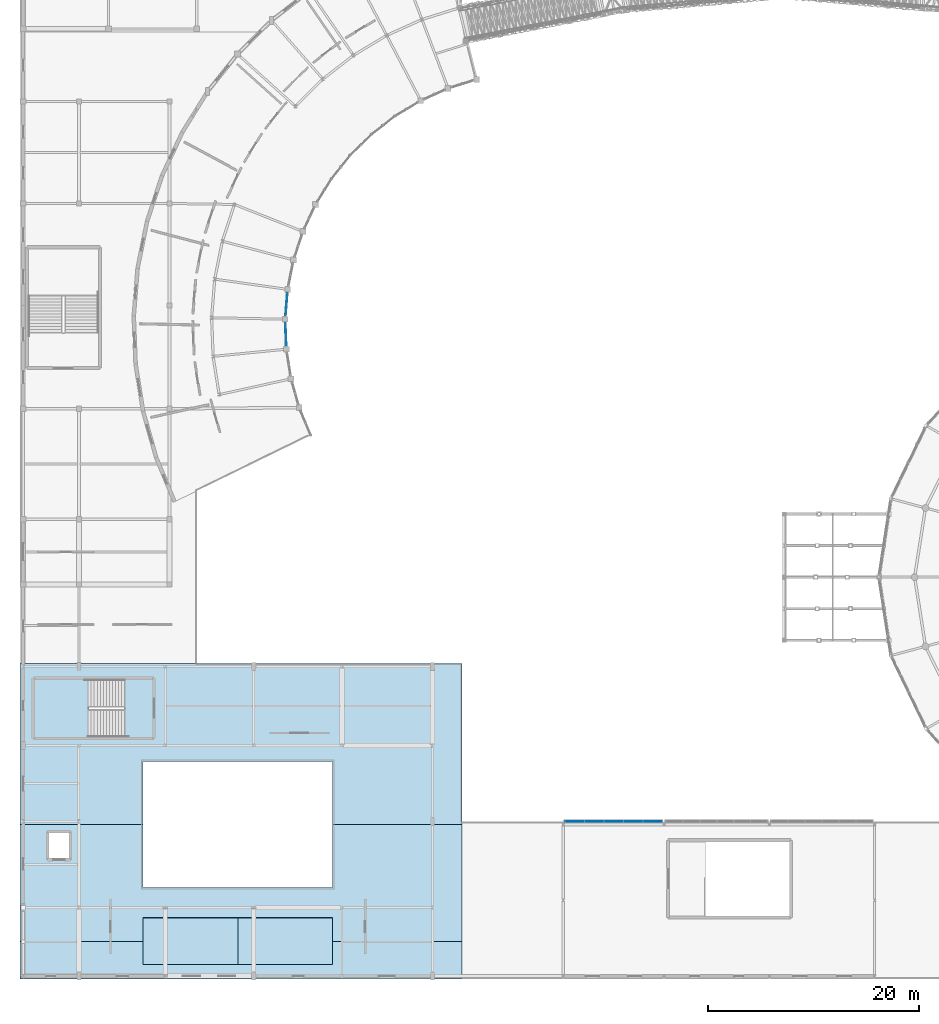
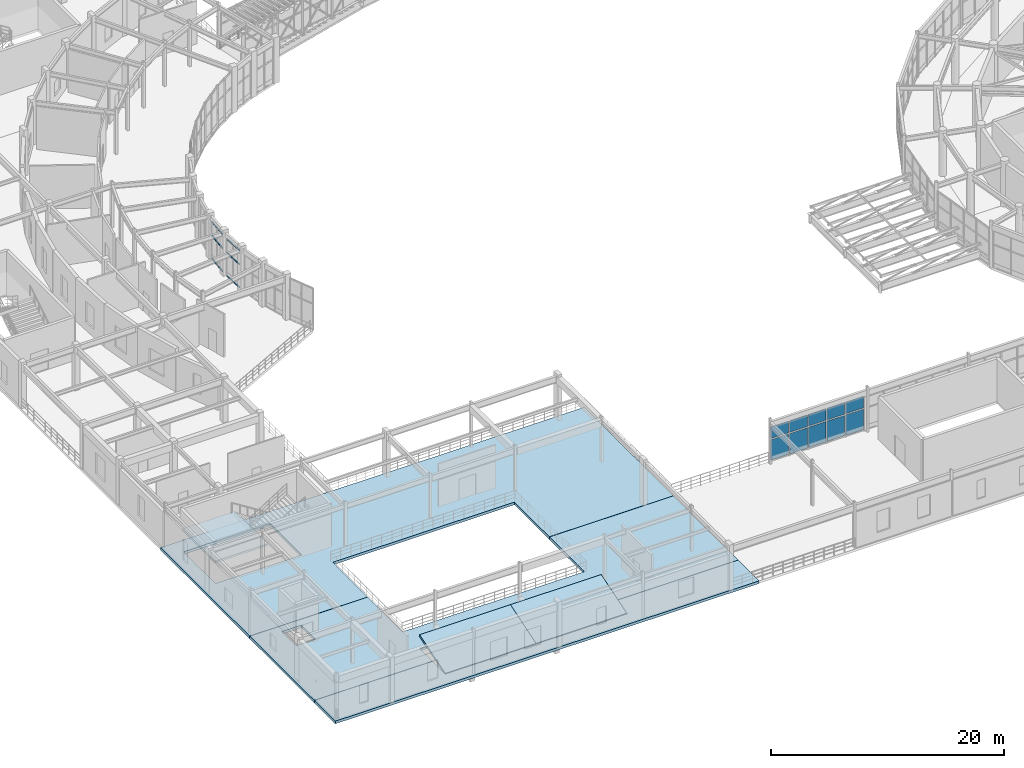
# One storey, part 79 of 144: 12 members, 10 plates, 6 slabs, 4 elements without a shape of their own.
"""IFC4 building model written with IfcOpenShell, lengths in metres."""

from ifc_helpers import new_model, si_unit, direction, frame, origin, origin_2d, place, context, subcontext, project, spatial, polyline, rectangle, outline, extrude, material, layer, layer_set, material_profile, profile_set, type_object, element, aggregate, save


model = new_model("IFC4")

# Units and contexts
model_context = context("Model", 3, precision=1e-05, world=origin(), true_north=direction((0.0, 1.0)))
body_context = subcontext(model_context, "Body", "Model", "MODEL_VIEW")
ifc_project = project(units=[si_unit("LENGTHUNIT", "METRE"), si_unit("AREAUNIT", "SQUARE_METRE"), si_unit("VOLUMEUNIT", "CUBIC_METRE"), si_unit("PLANEANGLEUNIT", "RADIAN"), si_unit("MASSUNIT", "GRAM", prefix="KILO")], contexts=[model_context])

# Site, building, storey
site_placement = place(None, origin())
site = spatial("IfcSite", under=ifc_project, at=site_placement, CompositionType="ELEMENT")
building_placement = place(site_placement, origin())
building = spatial("IfcBuilding", under=site, at=building_placement, Name="Cinderbank Siding Concert Hall", CompositionType="ELEMENT")
storey_placement = place(building_placement, frame((0.0, 0.0, 5.39990234375)))
storey = spatial("IfcBuildingStorey", under=building, at=storey_placement, Name="L02", CompositionType="ELEMENT", Elevation=5.39990234375)

# Curtain wall, members
ifc_material_1 = material(Name="Anodised aluminium alloy 6063-T6", Category="aluminium")
curtain_wall_type_1 = type_object("IfcCurtainWallType", Name="CW-13 Unitised Acoustic Curtain Wall 4200x4400", PredefinedType="NOTDEFINED", material=ifc_material_1)
curtain_wall_1_placement = place(storey_placement, origin())
curtain_wall_1 = element("IfcCurtainWall", 1, at=curtain_wall_1_placement, inside=storey, type_object=curtain_wall_type_1, Name="L02 Curtain Wall CW-13 #118", PredefinedType="NOTDEFINED")
ifc_material_profile_1 = material_profile(ifc_material_1, rectangle(XDim=0.06005859375, YDim=0.1201171875, at=origin_2d()), Name="ALU-TRAN-60x120", Category="LoadBearing")
ifc_profile_set_1 = profile_set([ifc_material_profile_1], Name="Anodised aluminium alloy 6063-T6")
member_type_1 = type_object("IfcMemberType", Name="CW-TR1 Transom 60x120", PredefinedType="USERDEFINED", material=ifc_profile_set_1)
member_1_placement = place(storey_placement, frame((32.201904296875, 70.947265625, 0.06005859375), z_axis=(-0.080123382349, -0.996784953539, 0.0), x_axis=(0.996784953539, -0.080123382349, 0.0)))
member_1 = element("IfcMember", 2, at=member_1_placement, type_object=member_type_1, Name="CW-L02-118 Transom 0-0", ObjectType="TRANSOM", PredefinedType="USERDEFINED", context=body_context, shape_type="SweptSolid", body=[
    extrude(rectangle(XDim=0.06005859375, YDim=0.1201171875, at=origin_2d()), origin(), (0.0, 0.0, 1.0), 0.97509765625),
])
member_2_placement = place(storey_placement, frame((32.201904296875, 70.947265625, 2.471923828125), z_axis=(-0.080123382349, -0.996784953539, 0.0), x_axis=(0.996784953539, -0.080123382349, 0.0)))
member_2 = element("IfcMember", 3, at=member_2_placement, type_object=member_type_1, Name="CW-L02-118 Transom 0-1", ObjectType="TRANSOM", PredefinedType="USERDEFINED", context=body_context, shape_type="SweptSolid", body=[
    extrude(rectangle(XDim=0.06005859375, YDim=0.1201171875, at=origin_2d()), origin(), (0.0, 0.0, 1.0), 0.97509765625),
])
member_3_placement = place(storey_placement, frame((32.201904296875, 70.947265625, 3.927001953125), z_axis=(-0.080123382349, -0.996784953539, 0.0), x_axis=(0.996784953539, -0.080123382349, 0.0)))
member_3 = element("IfcMember", 4, at=member_3_placement, type_object=member_type_1, Name="CW-L02-118 Transom 0-2", ObjectType="TRANSOM", PredefinedType="USERDEFINED", context=body_context, shape_type="SweptSolid", body=[
    extrude(rectangle(XDim=0.06005859375, YDim=0.1201171875, at=origin_2d()), origin(), (0.0, 0.0, 1.0), 0.97509765625),
])
member_4_placement = place(storey_placement, frame((32.114990234375, 69.867431640625, 0.06005859375), z_axis=(-0.080123382349, -0.996784953539, 0.0), x_axis=(0.996784953539, -0.080123382349, 0.0)))
member_4 = element("IfcMember", 5, at=member_4_placement, type_object=member_type_1, Name="CW-L02-118 Transom 1-0", ObjectType="TRANSOM", PredefinedType="USERDEFINED", context=body_context, shape_type="SweptSolid", body=[
    extrude(rectangle(XDim=0.06005859375, YDim=0.1201171875, at=origin_2d()), origin(), (0.0, 0.0, 1.0), 0.97509765625),
])
member_5_placement = place(storey_placement, frame((32.114990234375, 69.867431640625, 2.471923828125), z_axis=(-0.080123382349, -0.996784953539, 0.0), x_axis=(0.996784953539, -0.080123382349, 0.0)))
member_5 = element("IfcMember", 6, at=member_5_placement, type_object=member_type_1, Name="CW-L02-118 Transom 1-1", ObjectType="TRANSOM", PredefinedType="USERDEFINED", context=body_context, shape_type="SweptSolid", body=[
    extrude(rectangle(XDim=0.06005859375, YDim=0.1201171875, at=origin_2d()), origin(), (0.0, 0.0, 1.0), 0.97509765625),
])
member_6_placement = place(storey_placement, frame((32.114990234375, 69.867431640625, 3.927001953125), z_axis=(-0.080123382349, -0.996784953539, 0.0), x_axis=(0.996784953539, -0.080123382349, 0.0)))
member_6 = element("IfcMember", 7, at=member_6_placement, type_object=member_type_1, Name="CW-L02-118 Transom 1-2", ObjectType="TRANSOM", PredefinedType="USERDEFINED", context=body_context, shape_type="SweptSolid", body=[
    extrude(rectangle(XDim=0.06005859375, YDim=0.1201171875, at=origin_2d()), origin(), (0.0, 0.0, 1.0), 0.97509765625),
])
aggregate(curtain_wall_1, [member_1, member_2, member_3, member_4, member_5, member_6])

curtain_wall_type_2 = type_object("IfcCurtainWallType", Name="CW-14 Unitised Acoustic Curtain Wall 4200x3800", PredefinedType="NOTDEFINED", material=ifc_material_1)
curtain_wall_2_placement = place(storey_placement, origin())
curtain_wall_2 = element("IfcCurtainWall", 8, at=curtain_wall_2_placement, inside=storey, type_object=curtain_wall_type_2, Name="L02 Curtain Wall CW-14 #119", PredefinedType="NOTDEFINED")
ifc_material_profile_2 = material_profile(ifc_material_1, rectangle(XDim=0.06494140625, YDim=0.14990234375, at=origin_2d()), Name="ALU-TRAN-65x150", Category="LoadBearing")
ifc_profile_set_2 = profile_set([ifc_material_profile_2], Name="Anodised aluminium alloy 6063-T6")
member_type_2 = type_object("IfcMemberType", Name="CW-TR2 Transom 65x150", PredefinedType="USERDEFINED", material=ifc_profile_set_2)
member_7_placement = place(storey_placement, frame((32.0205078125, 68.108642578125, 0.06005859375), z_axis=(0.038317703732, -0.999265607124, 0.0), x_axis=(0.999265607124, 0.038317703732, 0.0)))
member_7 = element("IfcMember", 9, at=member_7_placement, type_object=member_type_2, Name="CW-L02-119 Transom 0-0", ObjectType="TRANSOM", PredefinedType="USERDEFINED", context=body_context, shape_type="SweptSolid", body=[
    extrude(rectangle(XDim=0.06494140625, YDim=0.14990234375, at=origin_2d()), origin(), (0.0, 0.0, 1.0), 0.974853515625),
])
member_8_placement = place(storey_placement, frame((32.0205078125, 68.108642578125, 2.471923828125), z_axis=(0.038317703732, -0.999265607124, 0.0), x_axis=(0.999265607124, 0.038317703732, 0.0)))
member_8 = element("IfcMember", 10, at=member_8_placement, type_object=member_type_2, Name="CW-L02-119 Transom 0-1", ObjectType="TRANSOM", PredefinedType="USERDEFINED", context=body_context, shape_type="SweptSolid", body=[
    extrude(rectangle(XDim=0.06494140625, YDim=0.14990234375, at=origin_2d()), origin(), (0.0, 0.0, 1.0), 0.974853515625),
])
member_9_placement = place(storey_placement, frame((32.0205078125, 68.108642578125, 3.927001953125), z_axis=(0.038317703732, -0.999265607124, 0.0), x_axis=(0.999265607124, 0.038317703732, 0.0)))
member_9 = element("IfcMember", 11, at=member_9_placement, type_object=member_type_2, Name="CW-L02-119 Transom 0-2", ObjectType="TRANSOM", PredefinedType="USERDEFINED", context=body_context, shape_type="SweptSolid", body=[
    extrude(rectangle(XDim=0.06494140625, YDim=0.14990234375, at=origin_2d()), origin(), (0.0, 0.0, 1.0), 0.974853515625),
])
member_10_placement = place(storey_placement, frame((32.06201171875, 67.026123046875, 0.06005859375), z_axis=(0.038317703732, -0.999265607124, 0.0), x_axis=(0.999265607124, 0.038317703732, 0.0)))
member_10 = element("IfcMember", 12, at=member_10_placement, type_object=member_type_2, Name="CW-L02-119 Transom 1-0", ObjectType="TRANSOM", PredefinedType="USERDEFINED", context=body_context, shape_type="SweptSolid", body=[
    extrude(rectangle(XDim=0.06494140625, YDim=0.14990234375, at=origin_2d()), origin(), (0.0, 0.0, 1.0), 0.974853515625),
])
member_11_placement = place(storey_placement, frame((32.06201171875, 67.026123046875, 2.471923828125), z_axis=(0.038317703732, -0.999265607124, 0.0), x_axis=(0.999265607124, 0.038317703732, 0.0)))
member_11 = element("IfcMember", 13, at=member_11_placement, type_object=member_type_2, Name="CW-L02-119 Transom 1-1", ObjectType="TRANSOM", PredefinedType="USERDEFINED", context=body_context, shape_type="SweptSolid", body=[
    extrude(rectangle(XDim=0.06494140625, YDim=0.14990234375, at=origin_2d()), origin(), (0.0, 0.0, 1.0), 0.974853515625),
])
member_12_placement = place(storey_placement, frame((32.06201171875, 67.026123046875, 3.927001953125), z_axis=(0.038317703732, -0.999265607124, 0.0), x_axis=(0.999265607124, 0.038317703732, 0.0)))
member_12 = element("IfcMember", 14, at=member_12_placement, type_object=member_type_2, Name="CW-L02-119 Transom 1-2", ObjectType="TRANSOM", PredefinedType="USERDEFINED", context=body_context, shape_type="SweptSolid", body=[
    extrude(rectangle(XDim=0.06494140625, YDim=0.14990234375, at=origin_2d()), origin(), (0.0, 0.0, 1.0), 0.974853515625),
])
aggregate(curtain_wall_2, [member_7, member_8, member_9, member_10, member_11, member_12])

# Curtain wall, plates
curtain_wall_type_3 = type_object("IfcCurtainWallType", Name="CW-16 Unitised Acoustic Curtain Wall 9200x3800", PredefinedType="NOTDEFINED", material=ifc_material_1)
curtain_wall_3_placement = place(storey_placement, origin())
curtain_wall_3 = element("IfcCurtainWall", 15, at=curtain_wall_3_placement, inside=storey, type_object=curtain_wall_type_3, Name="L02 Curtain Wall CW-16 #141", PredefinedType="NOTDEFINED")
ifc_material_2 = material(Name="Double-glazed laminated acoustic glass", Category="glass")
ifc_layer_1 = layer(ifc_material_2, 0.0380859375)
ifc_layer_set_1 = layer_set([ifc_layer_1], Name="Double-glazed laminated acoustic glass")
plate_type = type_object("IfcPlateType", Name="CP-06 Glazed Curtain Panel 2100x1600", PredefinedType="CURTAIN_PANEL", material=ifc_layer_set_1)
plate_1_placement = place(storey_placement, frame((59.493896484375, 20.800048828125, 0.1201171875), z_axis=(0.0, 0.0, 1.0), x_axis=(1.0, 0.0, 0.0)))
plate_1 = element("IfcPlate", 16, at=plate_1_placement, type_object=plate_type, Name="CW-L02-141 Glazed Panel 0-0", PredefinedType="CURTAIN_PANEL", context=body_context, shape_type="SweptSolid", body=[
    extrude(rectangle(XDim=1.7529296875, YDim=0.035888671875, at=origin_2d()), origin(), (0.0, 0.0, 1.0), 2.136962890625),
])
plate_2_placement = place(storey_placement, frame((59.493896484375, 20.800048828125, 2.376953125), z_axis=(0.0, 0.0, 1.0), x_axis=(1.0, 0.0, 0.0)))
plate_2 = element("IfcPlate", 17, at=plate_2_placement, type_object=plate_type, Name="CW-L02-141 Glazed Panel 0-1", PredefinedType="CURTAIN_PANEL", context=body_context, shape_type="SweptSolid", body=[
    extrude(rectangle(XDim=1.7529296875, YDim=0.035888671875, at=origin_2d()), origin(), (0.0, 0.0, 1.0), 1.239990234375),
])
plate_3_placement = place(storey_placement, frame((61.346923828125, 20.800048828125, 0.1201171875), z_axis=(0.0, 0.0, 1.0), x_axis=(1.0, 0.0, 0.0)))
plate_3 = element("IfcPlate", 18, at=plate_3_placement, type_object=plate_type, Name="CW-L02-141 Glazed Panel 1-0", PredefinedType="CURTAIN_PANEL", context=body_context, shape_type="SweptSolid", body=[
    extrude(rectangle(XDim=1.7529296875, YDim=0.035888671875, at=origin_2d()), origin(), (0.0, 0.0, 1.0), 2.136962890625),
])
plate_4_placement = place(storey_placement, frame((61.346923828125, 20.800048828125, 2.376953125), z_axis=(0.0, 0.0, 1.0), x_axis=(1.0, 0.0, 0.0)))
plate_4 = element("IfcPlate", 19, at=plate_4_placement, type_object=plate_type, Name="CW-L02-141 Glazed Panel 1-1", PredefinedType="CURTAIN_PANEL", context=body_context, shape_type="SweptSolid", body=[
    extrude(rectangle(XDim=1.7529296875, YDim=0.035888671875, at=origin_2d()), origin(), (0.0, 0.0, 1.0), 1.239990234375),
])
plate_5_placement = place(storey_placement, frame((63.199951171875, 20.800048828125, 0.1201171875), z_axis=(0.0, 0.0, 1.0), x_axis=(1.0, 0.0, 0.0)))
plate_5 = element("IfcPlate", 20, at=plate_5_placement, type_object=plate_type, Name="CW-L02-141 Glazed Panel 2-0", PredefinedType="CURTAIN_PANEL", context=body_context, shape_type="SweptSolid", body=[
    extrude(rectangle(XDim=1.7529296875, YDim=0.035888671875, at=origin_2d()), origin(), (0.0, 0.0, 1.0), 2.136962890625),
])
plate_6_placement = place(storey_placement, frame((63.199951171875, 20.800048828125, 2.376953125), z_axis=(0.0, 0.0, 1.0), x_axis=(1.0, 0.0, 0.0)))
plate_6 = element("IfcPlate", 21, at=plate_6_placement, type_object=plate_type, Name="CW-L02-141 Glazed Panel 2-1", PredefinedType="CURTAIN_PANEL", context=body_context, shape_type="SweptSolid", body=[
    extrude(rectangle(XDim=1.7529296875, YDim=0.035888671875, at=origin_2d()), origin(), (0.0, 0.0, 1.0), 1.239990234375),
])
plate_7_placement = place(storey_placement, frame((65.052978515625, 20.800048828125, 0.1201171875), z_axis=(0.0, 0.0, 1.0), x_axis=(1.0, 0.0, 0.0)))
plate_7 = element("IfcPlate", 22, at=plate_7_placement, type_object=plate_type, Name="CW-L02-141 Glazed Panel 3-0", PredefinedType="CURTAIN_PANEL", context=body_context, shape_type="SweptSolid", body=[
    extrude(rectangle(XDim=1.7529296875, YDim=0.035888671875, at=origin_2d()), origin(), (0.0, 0.0, 1.0), 2.136962890625),
])
plate_8_placement = place(storey_placement, frame((65.052978515625, 20.800048828125, 2.376953125), z_axis=(0.0, 0.0, 1.0), x_axis=(1.0, 0.0, 0.0)))
plate_8 = element("IfcPlate", 23, at=plate_8_placement, type_object=plate_type, Name="CW-L02-141 Glazed Panel 3-1", PredefinedType="CURTAIN_PANEL", context=body_context, shape_type="SweptSolid", body=[
    extrude(rectangle(XDim=1.7529296875, YDim=0.035888671875, at=origin_2d()), origin(), (0.0, 0.0, 1.0), 1.239990234375),
])
plate_9_placement = place(storey_placement, frame((66.906005859375, 20.800048828125, 0.1201171875), z_axis=(0.0, 0.0, 1.0), x_axis=(1.0, 0.0, 0.0)))
plate_9 = element("IfcPlate", 24, at=plate_9_placement, type_object=plate_type, Name="CW-L02-141 Glazed Panel 4-0", PredefinedType="CURTAIN_PANEL", context=body_context, shape_type="SweptSolid", body=[
    extrude(rectangle(XDim=1.7529296875, YDim=0.035888671875, at=origin_2d()), origin(), (0.0, 0.0, 1.0), 2.136962890625),
])
plate_10_placement = place(storey_placement, frame((66.906005859375, 20.800048828125, 2.376953125), z_axis=(0.0, 0.0, 1.0), x_axis=(1.0, 0.0, 0.0)))
plate_10 = element("IfcPlate", 25, at=plate_10_placement, type_object=plate_type, Name="CW-L02-141 Glazed Panel 4-1", PredefinedType="CURTAIN_PANEL", context=body_context, shape_type="SweptSolid", body=[
    extrude(rectangle(XDim=1.7529296875, YDim=0.035888671875, at=origin_2d()), origin(), (0.0, 0.0, 1.0), 1.239990234375),
])
aggregate(curtain_wall_3, [plate_1, plate_2, plate_3, plate_4, plate_5, plate_6, plate_7, plate_8, plate_9, plate_10])

# Stair, slab
ifc_material_3 = material(Name="Reinforced concrete AS 3600 N50 (50 MPa)", Category="concrete")
stair_type = type_object("IfcStairType", Name="STR-A Dogleg Exit Stair 2650mm", PredefinedType="HALF_TURN_STAIR", material=ifc_material_3)
stair_placement = place(storey_placement, origin())
stair = element("IfcStair", 26, at=stair_placement, inside=storey, type_object=stair_type, Name="L02 Chamber Pavilion Exit Stair ST-06", PredefinedType="HALF_TURN_STAIR")
ifc_layer_2 = layer(ifc_material_3, 0.199951171875)
ifc_layer_set_2 = layer_set([ifc_layer_2], Name="Reinforced concrete AS 3600 N50 (50 MPa)")
slab_type_1 = type_object("IfcSlabType", Name="LD-02 Slab 200mm", PredefinedType="LANDING", material=ifc_layer_set_2)
slab_1_placement = place(storey_placement, frame((0.0, 0.0, 2.2001953125)))
slab_1 = element("IfcSlab", 27, at=slab_1_placement, type_object=slab_type_1, Name="ST-06 landing 1", PredefinedType="LANDING", context=body_context, shape_type="SweptSolid", body=[
    extrude(outline(polyline([(13.35009765625, 34.340087890625), (13.35009765625, 28.719970703125), (8.1201171875, 28.719970703125), (8.1201171875, 34.340087890625), (13.35009765625, 34.340087890625)])), origin(), (0.0, 0.0, 1.0), 0.199951171875),
])
aggregate(stair, [slab_1])

# Slabs
ifc_layer_3 = layer(ifc_material_3, 0.280029296875)
ifc_layer_set_3 = layer_set([ifc_layer_3], Name="Reinforced concrete AS 3600 N50 (50 MPa)")
slab_type_2 = type_object("IfcSlabType", Name="SL-02 Slab 280mm", PredefinedType="FLOOR", material=ifc_layer_set_3)
slab_2_placement = place(storey_placement, frame((0.0, 0.0, -0.27978515625)))
element("IfcSlab", 28, at=slab_2_placement, inside=storey, type_object=slab_type_2, Name="L02 Chamber Balcony Slab North North", PredefinedType="FLOOR", context=body_context, shape_type="SweptSolid", body=[
    extrude(outline(polyline([(48.800048828125, 35.800048828125), (48.800048828125, 20.506103515625), (36.5, 20.506103515625), (36.5, 26.5), (18.5, 26.5), (18.5, 20.506103515625), (6.800048828125, 20.506103515625), (6.800048828125, 35.800048828125), (48.800048828125, 35.800048828125)]), holes=[polyline([(16.75, 34.260009765625), (8.199951171875, 34.260009765625), (8.199951171875, 28.800048828125), (16.75, 28.800048828125), (16.75, 34.260009765625)])]), origin(), (0.0, 0.0, 1.0), 0.27978515625),
])
slab_3_placement = place(storey_placement, frame((0.0, 0.0, -0.27978515625)))
element("IfcSlab", 29, at=slab_3_placement, inside=storey, type_object=slab_type_2, Name="L02 Chamber Balcony Slab North South", PredefinedType="FLOOR", context=body_context, shape_type="SweptSolid", body=[
    extrude(outline(polyline([(48.800048828125, 9.406005859375), (36.501953125, 9.406005859375), (36.501953125, 11.60205078125), (18.498046875, 11.60205078125), (18.498046875, 9.406005859375), (6.800048828125, 9.406005859375), (6.800048828125, 20.493896484375), (18.5, 20.493896484375), (18.5, 14.5), (36.5, 14.5), (36.5, 20.493896484375), (48.800048828125, 20.493896484375), (48.800048828125, 9.406005859375)]), holes=[polyline([(9.5400390625, 17.2900390625), (11.4599609375, 17.2900390625), (11.4599609375, 19.7099609375), (9.5400390625, 19.7099609375), (9.5400390625, 17.2900390625)])]), origin(), (0.0, 0.0, 1.0), 0.27978515625),
])
slab_4_placement = place(storey_placement, frame((0.0, 0.0, -0.27978515625)))
element("IfcSlab", 30, at=slab_4_placement, inside=storey, type_object=slab_type_2, Name="L02 Chamber Balcony Slab South", PredefinedType="FLOOR", context=body_context, shape_type="SweptSolid", body=[
    extrude(outline(polyline([(6.800048828125, 5.800048828125), (6.800048828125, 9.39404296875), (18.498046875, 9.39404296875), (18.498046875, 7.197998046875), (36.501953125, 7.197998046875), (36.501953125, 9.39404296875), (48.800048828125, 9.39404296875), (48.800048828125, 5.800048828125), (6.800048828125, 5.800048828125)])), origin(), (0.0, 0.0, 1.0), 0.27978515625),
])
ifc_material_4 = material(Name="Precast concrete AS 3600 N50 (50 MPa)", Category="concrete")
ifc_layer_4 = layer(ifc_material_4, 0.219970703125)
ifc_layer_set_4 = layer_set([ifc_layer_4], Name="Precast concrete AS 3600 N50 (50 MPa)")
slab_type_3 = type_object("IfcSlabType", Name="ST-TIER2 Slab 220mm", PredefinedType="USERDEFINED", material=ifc_layer_set_4)
for number, where, z_axis, x_axis, name in (
    (31, (18.5, 7.199951171875, 0.050048828125), (0.0, -0.303223298372, 0.952919530351), (1.0, 0.0, 0.0), "Stand Chamber Hall Balcony Tier 18"),
    (32, (27.5, 7.199951171875, 0.050048828125), (0.0, -0.303223298372, 0.952919530351), (1.0, 0.0, 0.0), "Stand Chamber Hall Balcony Tier 27"),
):
    element("IfcSlab", number, at=place(storey_placement, frame(where, z_axis=z_axis, x_axis=x_axis)), inside=storey, type_object=slab_type_3, Name=name, ObjectType="SEATING TIER", PredefinedType="USERDEFINED", context=body_context, shape_type="SweptSolid", body=[
        extrude(outline(polyline([(0.0, 0.0), (9.0, 0.0), (9.0, 4.617542556562457), (0.0, 4.617542556562457), (0.0, 0.0)])), origin(), (0.0, 0.0, -1.0), 0.219970703125),
    ])

save(model, "model.ifc")
